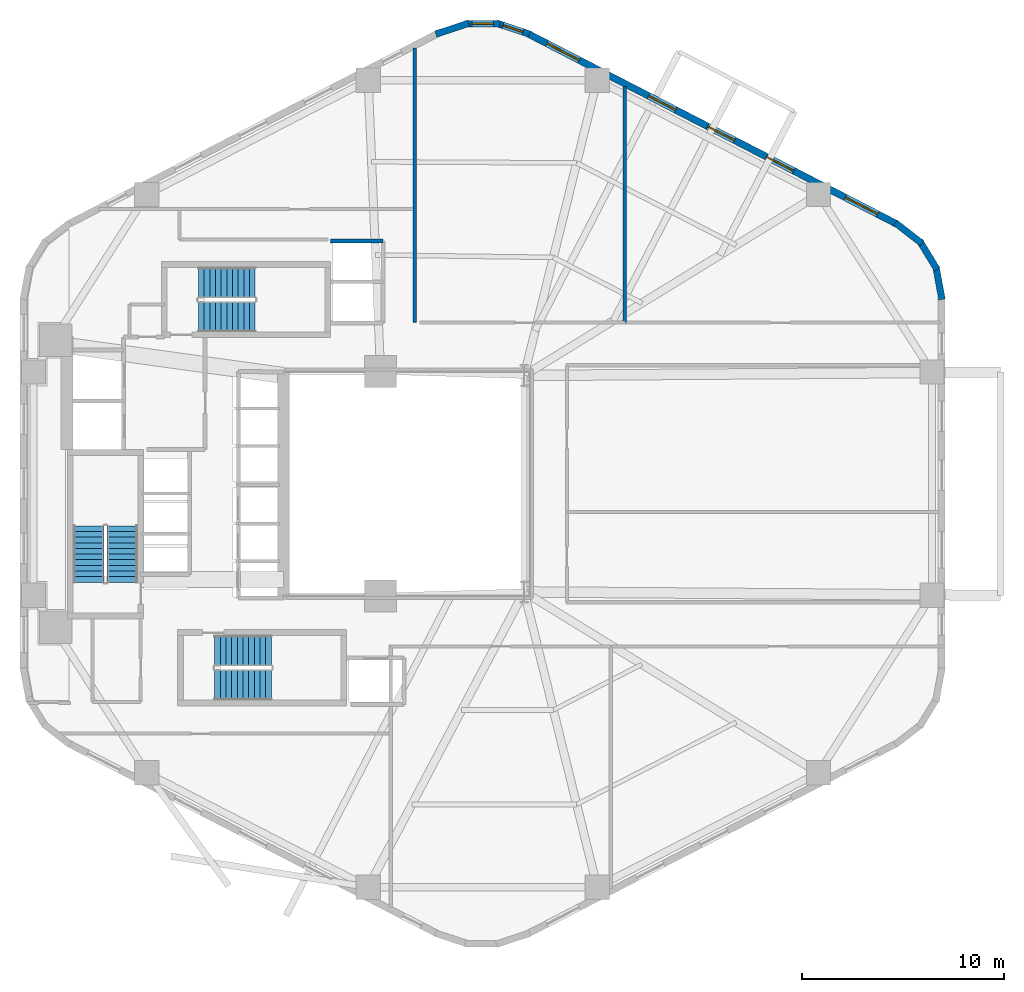
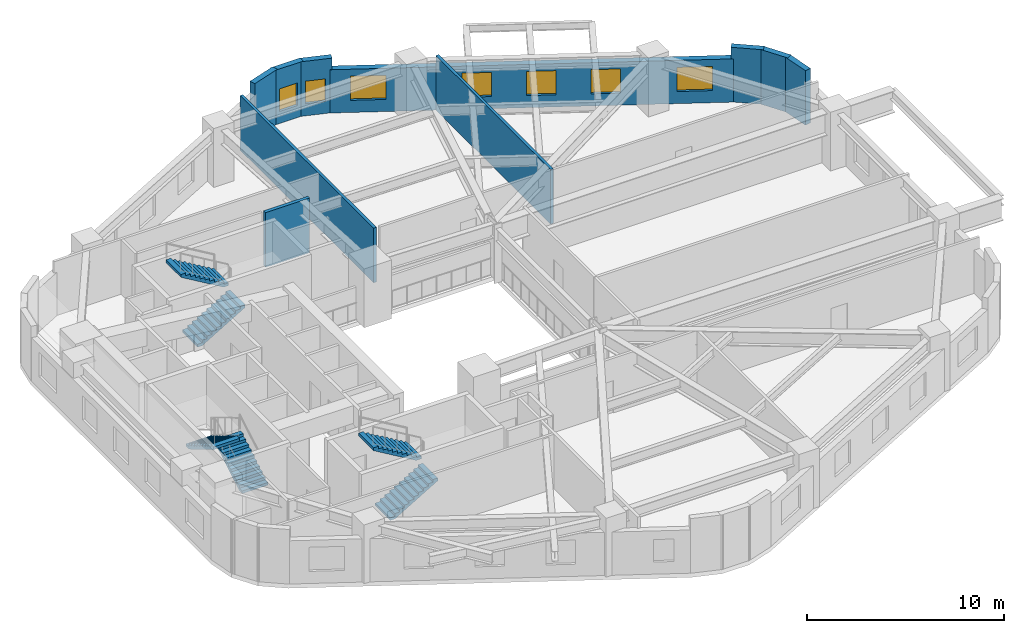
# One storey, part 5 of 6: 10 walls, 7 windows, 6 stair flights, 7 openings, 3 elements without a shape of their own.
"""IFC4 building model written with IfcOpenShell, lengths in metres."""

from ifc_helpers import new_model, si_unit, direction, frame, frame_2d, origin, place, context, subcontext, project, spatial, polyline, rectangle, outline, extrude, material, layer, layer_set, type_object, element, fill, aggregate, save


model = new_model("IFC4")

# Units and contexts
model_context = context("Model", 3, precision=1e-05, world=origin(), true_north=direction((0.0, 1.0)))
body_context = subcontext(model_context, "Body", "Model", "MODEL_VIEW")
ifc_project = project(units=[si_unit("LENGTHUNIT", "METRE"), si_unit("AREAUNIT", "SQUARE_METRE"), si_unit("VOLUMEUNIT", "CUBIC_METRE"), si_unit("PLANEANGLEUNIT", "RADIAN"), si_unit("MASSUNIT", "GRAM", prefix="KILO"), si_unit("THERMODYNAMICTEMPERATUREUNIT", "KELVIN"), si_unit("POWERUNIT", "WATT")], contexts=[model_context])

# Site, building, storey
site_placement = place(None, origin())
site = spatial("IfcSite", under=ifc_project, at=site_placement, CompositionType="ELEMENT")
building_placement = place(site_placement, origin())
building = spatial("IfcBuilding", under=site, at=building_placement, Name="Skarre Station Tower", CompositionType="ELEMENT")
storey_placement = place(building_placement, frame((0.0, 0.0, 34.300048828125)))
storey = spatial("IfcBuildingStorey", under=building, at=storey_placement, Name="L08", CompositionType="ELEMENT", Elevation=34.300048828125)

# Wall, openings, windows
ifc_material_1 = material(Name="Precast concrete C45/55", Category="concrete")
ifc_layer_1 = layer(ifc_material_1, 0.340087890625, Name="Precast concrete C45/55")
ifc_layer_set_1 = layer_set([ifc_layer_1], Name="Precast concrete C45/55")
wall_type_1 = type_object("IfcWallType", Name="Nordic Honed Precast Facet Wall 340", PredefinedType="STANDARD", material=ifc_layer_set_1)
wall_1_placement = place(storey_placement, frame((39.631103515625, 46.257080078125, 0.0), z_axis=(0.0, 0.0, 1.0), x_axis=(0.888634413993, -0.458616264721, 0.0)))
wall_1 = element("IfcWall", 1, at=wall_1_placement, inside=storey, type_object=wall_type_1, Name="L08 Facet 0 Nordic Precast Masonry Wall", PredefinedType="STANDARD", context=body_context, shape_type="SweptSolid", body=[
    extrude(rectangle(XDim=20.53125, YDim=0.340087890625, at=frame_2d((10.265625, 0.0))), origin(), (0.0, 0.0, 1.0), 2.683837890625),
])
opening_1_placement = place(wall_1_placement, frame((1.05810546875, 0.0, 0.75)))
opening_1 = element("IfcOpeningElement", 2, at=opening_1_placement, cuts=wall_1, Name="Opening WN-Z1A", PredefinedType="OPENING", context=body_context, shape_type="SweptSolid", body=[
    extrude(rectangle(XDim=1.800048828125, YDim=1.5, at=frame_2d((0.89990234375, 0.75))), frame((0.0, 0.179931640625, 0.0), z_axis=(0.0, -1.0, 0.0), x_axis=(1.0, 0.0, 0.0)), (0.0, 0.0, 1.0), 0.360107421875),
])
opening_2_placement = place(wall_1_placement, frame((6.720947265625, 0.0, 0.75)))
opening_2 = element("IfcOpeningElement", 3, at=opening_2_placement, cuts=wall_1, Name="Opening WN-Z1B", PredefinedType="OPENING", context=body_context, shape_type="SweptSolid", body=[
    extrude(rectangle(XDim=1.5, YDim=1.5, at=frame_2d((0.75, 0.75))), frame((0.0, 0.179931640625, 0.0), z_axis=(0.0, -1.0, 0.0), x_axis=(1.0, 0.0, 0.0)), (0.0, 0.0, 1.0), 0.360107421875),
])
opening_3_placement = place(wall_1_placement, frame((10.007080078125, 0.0, 0.75)))
opening_3 = element("IfcOpeningElement", 4, at=opening_3_placement, cuts=wall_1, Name="Opening WN-Z1B", PredefinedType="OPENING", context=body_context, shape_type="SweptSolid", body=[
    extrude(rectangle(XDim=1.5, YDim=1.5, at=frame_2d((0.75, 0.75))), frame((0.0, 0.179931640625, 0.0), z_axis=(0.0, -1.0, 0.0), x_axis=(1.0, 0.0, 0.0)), (0.0, 0.0, 1.0), 0.360107421875),
])
opening_4_placement = place(wall_1_placement, frame((13.2919921875, 0.0, 0.75)))
opening_4 = element("IfcOpeningElement", 5, at=opening_4_placement, cuts=wall_1, Name="Opening WN-Z1B", PredefinedType="OPENING", context=body_context, shape_type="SweptSolid", body=[
    extrude(rectangle(XDim=1.5, YDim=1.5, at=frame_2d((0.75, 0.75))), frame((0.0, 0.179931640625, 0.0), z_axis=(0.0, -1.0, 0.0), x_axis=(1.0, 0.0, 0.0)), (0.0, 0.0, 1.0), 0.360107421875),
])
opening_5_placement = place(wall_1_placement, frame((17.673095703125, 0.0, 0.75)))
opening_5 = element("IfcOpeningElement", 6, at=opening_5_placement, cuts=wall_1, Name="Opening WN-Z1A", PredefinedType="OPENING", context=body_context, shape_type="SweptSolid", body=[
    extrude(rectangle(XDim=1.800048828125, YDim=1.5, at=frame_2d((0.89990234375, 0.75))), frame((0.0, 0.179931640625, 0.0), z_axis=(0.0, -1.0, 0.0), x_axis=(1.0, 0.0, 0.0)), (0.0, 0.0, 1.0), 0.360107421875),
])
ifc_material_2 = material(Name="Low-Iron Triple Glazing with Bronze Anodized Frame", Category="glass")
window_type_1 = type_object("IfcWindowType", Name="Nordic Punched Triple-Glazed Window 1500x1500", PartitioningType="SINGLE_PANEL", PredefinedType="WINDOW", material=ifc_material_2)
window_1_placement = place(opening_2_placement, origin())
window_1 = element("IfcWindow", 7, at=window_1_placement, inside=storey, type_object=window_type_1, Name="L08 Facade Window WL-FAC-L08-F0-2", OverallHeight=1.5, OverallWidth=1.5, PartitioningType="SINGLE_PANEL", PredefinedType="WINDOW", context=body_context, shape_type="SweptSolid", body=[
    extrude(rectangle(XDim=1.5, YDim=1.5, at=frame_2d((0.75, 0.75))), frame((0.0, 0.030029296875, 0.0), z_axis=(0.0, -1.0, 0.0), x_axis=(1.0, 0.0, 0.0)), (0.0, 0.0, 1.0), 0.06005859375),
])
fill(opening_2, window_1)
window_2_placement = place(opening_3_placement, origin())
window_2 = element("IfcWindow", 8, at=window_2_placement, inside=storey, type_object=window_type_1, Name="L08 Facade Window WL-FAC-L08-F0-3", OverallHeight=1.5, OverallWidth=1.5, PartitioningType="SINGLE_PANEL", PredefinedType="WINDOW", context=body_context, shape_type="SweptSolid", body=[
    extrude(rectangle(XDim=1.5, YDim=1.5, at=frame_2d((0.75, 0.75))), frame((0.0, 0.030029296875, 0.0), z_axis=(0.0, -1.0, 0.0), x_axis=(1.0, 0.0, 0.0)), (0.0, 0.0, 1.0), 0.06005859375),
])
fill(opening_3, window_2)
window_3_placement = place(opening_4_placement, origin())
window_3 = element("IfcWindow", 9, at=window_3_placement, inside=storey, type_object=window_type_1, Name="L08 Facade Window WL-FAC-L08-F0-4", OverallHeight=1.5, OverallWidth=1.5, PartitioningType="SINGLE_PANEL", PredefinedType="WINDOW", context=body_context, shape_type="SweptSolid", body=[
    extrude(rectangle(XDim=1.5, YDim=1.5, at=frame_2d((0.75, 0.75))), frame((0.0, 0.030029296875, 0.0), z_axis=(0.0, -1.0, 0.0), x_axis=(1.0, 0.0, 0.0)), (0.0, 0.0, 1.0), 0.06005859375),
])
fill(opening_4, window_3)
window_type_2 = type_object("IfcWindowType", Name="Nordic Punched Triple-Glazed Window 1800x1500", PartitioningType="SINGLE_PANEL", PredefinedType="WINDOW", material=ifc_material_2)
window_4_placement = place(opening_1_placement, origin())
window_4 = element("IfcWindow", 10, at=window_4_placement, inside=storey, type_object=window_type_2, Name="L08 Facade Window WL-FAC-L08-F0-1", OverallHeight=1.5, OverallWidth=1.800048828125, PartitioningType="SINGLE_PANEL", PredefinedType="WINDOW", context=body_context, shape_type="SweptSolid", body=[
    extrude(rectangle(XDim=1.800048828125, YDim=1.5, at=frame_2d((0.89990234375, 0.75))), frame((0.0, 0.030029296875, 0.0), z_axis=(0.0, -1.0, 0.0), x_axis=(1.0, 0.0, 0.0)), (0.0, 0.0, 1.0), 0.06005859375),
])
fill(opening_1, window_4)
window_5_placement = place(opening_5_placement, origin())
window_5 = element("IfcWindow", 11, at=window_5_placement, inside=storey, type_object=window_type_2, Name="L08 Facade Window WL-FAC-L08-F0-5", OverallHeight=1.5, OverallWidth=1.800048828125, PartitioningType="SINGLE_PANEL", PredefinedType="WINDOW", context=body_context, shape_type="SweptSolid", body=[
    extrude(rectangle(XDim=1.800048828125, YDim=1.5, at=frame_2d((0.89990234375, 0.75))), frame((0.0, 0.030029296875, 0.0), z_axis=(0.0, -1.0, 0.0), x_axis=(1.0, 0.0, 0.0)), (0.0, 0.0, 1.0), 0.06005859375),
])
fill(opening_5, window_5)

# Walls
ifc_layer_2 = layer(ifc_material_1, 0.330078125, Name="Precast concrete C45/55")
ifc_layer_set_2 = layer_set([ifc_layer_2], Name="Precast concrete C45/55")
wall_type_2 = type_object("IfcWallType", Name="Nordic Rounded Corner Precast Wall 330", PredefinedType="STANDARD", material=ifc_layer_set_2)
wall_2_placement = place(storey_placement, frame((57.802001953125, 36.90087890625, 0.0), z_axis=(0.0, 0.0, 1.0), x_axis=(0.790691856293, -0.61221433207, 0.0)))
element("IfcWall", 12, at=wall_2_placement, inside=storey, type_object=wall_type_2, Name="L08 Rounded Corner Precast Wall F0-1", PredefinedType="STANDARD", context=body_context, shape_type="SweptSolid", body=[
    extrude(rectangle(XDim=1.67578125, YDim=0.330078125, at=frame_2d((0.837890625, 0.0))), origin(), (0.0, 0.0, 1.0), 3.389892578125),
])
wall_3_placement = place(storey_placement, frame((59.001953125, 36.014892578125, 0.0), z_axis=(0.0, 0.0, 1.0), x_axis=(0.520584129191, -0.853810379671, 0.0)))
element("IfcWall", 13, at=wall_3_placement, inside=storey, type_object=wall_type_2, Name="L08 Rounded Corner Precast Wall F0-2", PredefinedType="STANDARD", context=body_context, shape_type="SweptSolid", body=[
    extrude(rectangle(XDim=1.677001953125, YDim=0.330078125, at=frame_2d((0.83837890625, 0.0))), origin(), (0.0, 0.0, 1.0), 3.389892578125),
])
wall_4_placement = place(storey_placement, frame((59.80810546875, 34.758056640625, 0.0), z_axis=(0.0, 0.0, 1.0), x_axis=(0.181714143354, -0.983351397063, 0.0)))
element("IfcWall", 14, at=wall_4_placement, inside=storey, type_object=wall_type_2, Name="L08 Rounded Corner Precast Wall F0-3", PredefinedType="STANDARD", context=body_context, shape_type="SweptSolid", body=[
    extrude(rectangle(XDim=1.677978515625, YDim=0.330078125, at=frame_2d((0.8388671875, 0.0))), origin(), (0.0, 0.0, 1.0), 3.389892578125),
])
wall_5_placement = place(storey_placement, frame((35.0810546875, 46.23095703125, 0.0), z_axis=(0.0, 0.0, 1.0), x_axis=(0.94976901097, 0.312951794691, 0.0)))
element("IfcWall", 15, at=wall_5_placement, inside=storey, type_object=wall_type_2, Name="L08 Rounded Corner Precast Wall F1-1", PredefinedType="STANDARD", context=body_context, shape_type="SweptSolid", body=[
    extrude(rectangle(XDim=1.722412109375, YDim=0.330078125, at=frame_2d((0.861328125, 0.0))), origin(), (0.0, 0.0, 1.0), 3.389892578125),
])

# Wall, opening, window
wall_6_placement = place(storey_placement, frame((36.5390625, 46.740966796875, 0.0), z_axis=(0.0, 0.0, 1.0), x_axis=(1.0, 0.0, 0.0)))
wall_6 = element("IfcWall", 16, at=wall_6_placement, inside=storey, type_object=wall_type_2, Name="L08 Rounded Corner Precast Wall F1-2", PredefinedType="STANDARD", context=body_context, shape_type="SweptSolid", body=[
    extrude(rectangle(XDim=1.721923828125, YDim=0.330078125, at=frame_2d((0.86083984375, 0.0))), origin(), (0.0, 0.0, 1.0), 3.389892578125),
])
opening_6_placement = place(wall_6_placement, frame((0.3359375, 0.0, 0.75)))
opening_6 = element("IfcOpeningElement", 17, at=opening_6_placement, cuts=wall_6, Name="Opening WN-SLT", PredefinedType="OPENING", context=body_context, shape_type="SweptSolid", body=[
    extrude(rectangle(XDim=1.050048828125, YDim=1.39990234375, at=frame_2d((0.52490234375, 0.699951171875))), frame((0.0, 0.175048828125, 0.0), z_axis=(0.0, -1.0, 0.0), x_axis=(1.0, 0.0, 0.0)), (0.0, 0.0, 1.0), 0.35009765625),
])
window_type_3 = type_object("IfcWindowType", Name="Nordic Corner Slot Window 1050x1400", PartitioningType="SINGLE_PANEL", PredefinedType="WINDOW", material=ifc_material_2)
window_6_placement = place(opening_6_placement, origin())
window_6 = element("IfcWindow", 18, at=window_6_placement, inside=storey, type_object=window_type_3, Name="L08 Apex Corner Slot Window F1-2", OverallHeight=1.39990234375, OverallWidth=1.050048828125, PartitioningType="SINGLE_PANEL", PredefinedType="WINDOW", context=body_context, shape_type="SweptSolid", body=[
    extrude(rectangle(XDim=1.050048828125, YDim=1.39990234375, at=frame_2d((0.52490234375, 0.699951171875))), frame((0.0, 0.030029296875, 0.0), z_axis=(0.0, -1.0, 0.0), x_axis=(1.0, 0.0, 0.0)), (0.0, 0.0, 1.0), 0.06005859375),
])
fill(opening_6, window_6)

wall_7_placement = place(storey_placement, frame((38.0830078125, 46.77001953125, 0.0), z_axis=(0.0, 0.0, 1.0), x_axis=(0.94976901097, -0.312951794691, 0.0)))
wall_7 = element("IfcWall", 19, at=wall_7_placement, inside=storey, type_object=wall_type_2, Name="L08 Rounded Corner Precast Wall F1-3", PredefinedType="STANDARD", context=body_context, shape_type="SweptSolid", body=[
    extrude(rectangle(XDim=1.722412109375, YDim=0.330078125, at=frame_2d((0.861328125, 0.0))), origin(), (0.0, 0.0, 1.0), 3.389892578125),
])
opening_7_placement = place(wall_7_placement, frame((0.3359375, 0.0, 0.75)))
opening_7 = element("IfcOpeningElement", 20, at=opening_7_placement, cuts=wall_7, Name="Opening WN-SLT", PredefinedType="OPENING", context=body_context, shape_type="SweptSolid", body=[
    extrude(rectangle(XDim=1.050048828125, YDim=1.39990234375, at=frame_2d((0.52490234375, 0.699951171875))), frame((0.0, 0.175048828125, 0.0), z_axis=(0.0, -1.0, 0.0), x_axis=(1.0, 0.0, 0.0)), (0.0, 0.0, 1.0), 0.35009765625),
])
window_7_placement = place(opening_7_placement, origin())
window_7 = element("IfcWindow", 21, at=window_7_placement, inside=storey, type_object=window_type_3, Name="L08 Apex Corner Slot Window F1-3", OverallHeight=1.39990234375, OverallWidth=1.050048828125, PartitioningType="SINGLE_PANEL", PredefinedType="WINDOW", context=body_context, shape_type="SweptSolid", body=[
    extrude(rectangle(XDim=1.050048828125, YDim=1.39990234375, at=frame_2d((0.52490234375, 0.699951171875))), frame((0.0, 0.030029296875, 0.0), z_axis=(0.0, -1.0, 0.0), x_axis=(1.0, 0.0, 0.0)), (0.0, 0.0, 1.0), 0.06005859375),
])
fill(opening_7, window_7)

# Walls
ifc_material_3 = material(Name="Gypsum Concrete Shaft Assembly C30/37", Category="concrete")
ifc_layer_3 = layer(ifc_material_3, 0.199951171875, Name="Gypsum Concrete Shaft Assembly C30/37")
ifc_layer_set_3 = layer_set([ifc_layer_3], Name="Gypsum Concrete Shaft Assembly C30/37")
wall_type_3 = type_object("IfcWallType", Name="Shaft & Core Fire Partition 200", PredefinedType="PARTITIONING", material=ifc_layer_set_3)
wall_8_placement = place(storey_placement, frame((29.8798828125, 36.0, 0.0), z_axis=(0.0, 0.0, 1.0), x_axis=(1.0, 0.0, 0.0)))
element("IfcWall", 22, at=wall_8_placement, inside=storey, type_object=wall_type_3, Name="L08 Interior Partition WL-PT-L08-EX-N", PredefinedType="PARTITIONING", context=body_context, shape_type="SweptSolid", body=[
    extrude(rectangle(XDim=2.60009765625, YDim=0.199951171875, at=frame_2d((1.300048828125, 0.0))), origin(), (0.0, 0.0, 1.0), 3.389892578125),
])
ifc_material_4 = material(Name="Acoustic Steel-Stud Gypsum Partition", Category="steel")
ifc_layer_4 = layer(ifc_material_4, 0.1650390625, Name="Acoustic Steel-Stud Gypsum Partition")
ifc_layer_set_4 = layer_set([ifc_layer_4], Name="Acoustic Steel-Stud Gypsum Partition")
wall_type_4 = type_object("IfcWallType", Name="Suite Demising Acoustic Partition 165", PredefinedType="PARTITIONING", material=ifc_layer_set_4)
wall_9_placement = place(storey_placement, frame((34.0400390625, 31.9599609375, 0.0), z_axis=(0.0, 0.0, 1.0), x_axis=(0.0, 1.0, 0.0)))
element("IfcWall", 23, at=wall_9_placement, inside=storey, type_object=wall_type_4, Name="L08 Interior Partition WL-PT-L08-NW-WBND", PredefinedType="PARTITIONING", context=body_context, shape_type="SweptSolid", body=[
    extrude(rectangle(XDim=13.5791015625, YDim=0.1650390625, at=frame_2d((6.78955078125, 0.0))), origin(), (0.0, 0.0, 1.0), 3.389892578125),
])
wall_10_placement = place(storey_placement, frame((44.43310546875, 31.969970703125, 0.0), z_axis=(0.0, 0.0, 1.0), x_axis=(0.0, 1.0, 0.0)))
element("IfcWall", 24, at=wall_10_placement, inside=storey, type_object=wall_type_4, Name="L08 Interior Partition WL-PT-L08-NW-P1", PredefinedType="PARTITIONING", context=body_context, shape_type="SweptSolid", body=[
    extrude(rectangle(XDim=11.674072265625, YDim=0.1650390625, at=frame_2d((5.8369140625, 0.0))), origin(), (0.0, 0.0, 1.0), 3.389892578125),
])

# Stair, stair flights
ifc_material_5 = material(Name="Concrete C40/50", Category="concrete")
stair_type_1 = type_object("IfcStairType", Name="Reinforced Concrete Exit Stair ST-1", PredefinedType="HALF_TURN_STAIR", material=ifc_material_5)
stair_1_placement = place(storey_placement, origin())
stair_1 = element("IfcStair", 25, at=stair_1_placement, inside=storey, type_object=stair_type_1, Name="L08 Core Exit Stair ST-1", PredefinedType="HALF_TURN_STAIR")
stair_flight_type_1 = type_object("IfcStairFlightType", Name="Reinforced Concrete Stair Flight ST-1", PredefinedType="STRAIGHT", material=ifc_material_5)
stair_flight_1_placement = place(storey_placement, frame((19.590087890625, 19.1201171875, 0.0), z_axis=(0.0, 0.0, 1.0), x_axis=(0.0, 1.0, 0.0)))
stair_flight_1 = element("IfcStairFlight", 26, at=stair_flight_1_placement, type_object=stair_flight_type_1, Name="ST-1 flight 1", NumberOfRisers=11, NumberOfTreads=10, PredefinedType="STRAIGHT", RiserHeight=0.165909091, TreadLength=0.28, context=body_context, shape_type="SweptSolid", body=[
    extrude(outline(polyline([(0.0, 0.0), (0.0, 0.166015625), (0.280029296875, 0.166015625), (0.280029296875, 0.331787109375), (0.56005859375, 0.331787109375), (0.56005859375, 0.497802734375), (0.840087890625, 0.497802734375), (0.840087890625, 0.66357421875), (1.1201171875, 0.66357421875), (1.1201171875, 0.82958984375), (1.39990234375, 0.82958984375), (1.39990234375, 0.995361328125), (1.679931640625, 0.995361328125), (1.679931640625, 1.161376953125), (1.9599609375, 1.161376953125), (1.9599609375, 1.327392578125), (2.239990234375, 1.327392578125), (2.239990234375, 1.4931640625), (2.52001953125, 1.4931640625), (2.52001953125, 1.6591796875), (2.800048828125, 1.6591796875), (2.800048828125, 1.824951171875), (2.800048828125, 1.48486328125), (0.2939453125, 0.0), (0.0, 0.0)])), frame((0.0, 0.760009765625, 0.0), z_axis=(0.0, -1.0, 0.0), x_axis=(1.0, 0.0, 0.0)), (0.0, 0.0, 1.0), 1.52001953125),
])
stair_flight_2_placement = place(storey_placement, frame((17.909912109375, 21.919921875, 1.824951171875), z_axis=(0.0, 0.0, 1.0), x_axis=(0.0, -1.0, 0.0)))
stair_flight_2 = element("IfcStairFlight", 27, at=stair_flight_2_placement, type_object=stair_flight_type_1, Name="ST-1 flight 2", NumberOfRisers=11, NumberOfTreads=10, PredefinedType="STRAIGHT", RiserHeight=0.165909091, TreadLength=0.28, context=body_context, shape_type="SweptSolid", body=[
    extrude(outline(polyline([(0.0, 0.0), (0.0, 0.166015625), (0.280029296875, 0.166015625), (0.280029296875, 0.331787109375), (0.56005859375, 0.331787109375), (0.56005859375, 0.497802734375), (0.840087890625, 0.497802734375), (0.840087890625, 0.66357421875), (1.1201171875, 0.66357421875), (1.1201171875, 0.82958984375), (1.39990234375, 0.82958984375), (1.39990234375, 0.995361328125), (1.679931640625, 0.995361328125), (1.679931640625, 1.161376953125), (1.9599609375, 1.161376953125), (1.9599609375, 1.327392578125), (2.239990234375, 1.327392578125), (2.239990234375, 1.4931640625), (2.52001953125, 1.4931640625), (2.52001953125, 1.6591796875), (2.800048828125, 1.6591796875), (2.800048828125, 1.824951171875), (2.800048828125, 1.48486328125), (0.2939453125, 0.0), (0.0, 0.0)])), frame((0.0, 0.760009765625, 0.0), z_axis=(0.0, -1.0, 0.0), x_axis=(1.0, 0.0, 0.0)), (0.0, 0.0, 1.0), 1.52001953125),
])
aggregate(stair_1, [stair_flight_1, stair_flight_2])

stair_type_2 = type_object("IfcStairType", Name="Reinforced Concrete Exit Stair ST-2", PredefinedType="HALF_TURN_STAIR", material=ifc_material_5)
stair_2_placement = place(storey_placement, origin())
stair_2 = element("IfcStair", 28, at=stair_2_placement, inside=storey, type_object=stair_type_2, Name="L08 Core Exit Stair ST-2", PredefinedType="HALF_TURN_STAIR")
stair_flight_type_2 = type_object("IfcStairFlightType", Name="Reinforced Concrete Stair Flight ST-2", PredefinedType="STRAIGHT", material=ifc_material_5)
stair_flight_3_placement = place(storey_placement, frame((24.14990234375, 14.06005859375, 0.0), z_axis=(0.0, 0.0, 1.0), x_axis=(1.0, 0.0, 0.0)))
stair_flight_3 = element("IfcStairFlight", 29, at=stair_flight_3_placement, type_object=stair_flight_type_2, Name="ST-2 flight 1", NumberOfRisers=11, NumberOfTreads=10, PredefinedType="STRAIGHT", RiserHeight=0.165909091, TreadLength=0.28, context=body_context, shape_type="SweptSolid", body=[
    extrude(outline(polyline([(0.0, 0.0), (0.0, 0.166015625), (0.280029296875, 0.166015625), (0.280029296875, 0.331787109375), (0.56005859375, 0.331787109375), (0.56005859375, 0.497802734375), (0.840087890625, 0.497802734375), (0.840087890625, 0.66357421875), (1.1201171875, 0.66357421875), (1.1201171875, 0.82958984375), (1.39990234375, 0.82958984375), (1.39990234375, 0.995361328125), (1.679931640625, 0.995361328125), (1.679931640625, 1.161376953125), (1.9599609375, 1.161376953125), (1.9599609375, 1.327392578125), (2.239990234375, 1.327392578125), (2.239990234375, 1.4931640625), (2.52001953125, 1.4931640625), (2.52001953125, 1.6591796875), (2.800048828125, 1.6591796875), (2.800048828125, 1.824951171875), (2.800048828125, 1.48486328125), (0.2939453125, 0.0), (0.0, 0.0)])), frame((0.0, 0.760009765625, 0.0), z_axis=(0.0, -1.0, 0.0), x_axis=(1.0, 0.0, 0.0)), (0.0, 0.0, 1.0), 1.52001953125),
])
stair_flight_4_placement = place(storey_placement, frame((26.949951171875, 15.739990234375, 1.824951171875), z_axis=(0.0, 0.0, 1.0), x_axis=(-1.0, 0.0, 0.0)))
stair_flight_4 = element("IfcStairFlight", 30, at=stair_flight_4_placement, type_object=stair_flight_type_2, Name="ST-2 flight 2", NumberOfRisers=11, NumberOfTreads=10, PredefinedType="STRAIGHT", RiserHeight=0.165909091, TreadLength=0.28, context=body_context, shape_type="SweptSolid", body=[
    extrude(outline(polyline([(0.0, 0.0), (0.0, 0.166015625), (0.280029296875, 0.166015625), (0.280029296875, 0.331787109375), (0.56005859375, 0.331787109375), (0.56005859375, 0.497802734375), (0.840087890625, 0.497802734375), (0.840087890625, 0.66357421875), (1.1201171875, 0.66357421875), (1.1201171875, 0.82958984375), (1.39990234375, 0.82958984375), (1.39990234375, 0.995361328125), (1.679931640625, 0.995361328125), (1.679931640625, 1.161376953125), (1.9599609375, 1.161376953125), (1.9599609375, 1.327392578125), (2.239990234375, 1.327392578125), (2.239990234375, 1.4931640625), (2.52001953125, 1.4931640625), (2.52001953125, 1.6591796875), (2.800048828125, 1.6591796875), (2.800048828125, 1.824951171875), (2.800048828125, 1.48486328125), (0.2939453125, 0.0), (0.0, 0.0)])), frame((0.0, 0.760009765625, 0.0), z_axis=(0.0, -1.0, 0.0), x_axis=(1.0, 0.0, 0.0)), (0.0, 0.0, 1.0), 1.52001953125),
])
aggregate(stair_2, [stair_flight_3, stair_flight_4])

stair_type_3 = type_object("IfcStairType", Name="Reinforced Concrete Exit Stair ST-3", PredefinedType="HALF_TURN_STAIR", material=ifc_material_5)
stair_3_placement = place(storey_placement, origin())
stair_3 = element("IfcStair", 31, at=stair_3_placement, inside=storey, type_object=stair_type_3, Name="L08 Core Exit Stair ST-3", PredefinedType="HALF_TURN_STAIR")
stair_flight_type_3 = type_object("IfcStairFlightType", Name="Reinforced Concrete Stair Flight ST-3", PredefinedType="STRAIGHT", material=ifc_material_5)
stair_flight_5_placement = place(storey_placement, frame((23.35009765625, 32.260009765625, 0.0), z_axis=(0.0, 0.0, 1.0), x_axis=(1.0, 0.0, 0.0)))
stair_flight_5 = element("IfcStairFlight", 32, at=stair_flight_5_placement, type_object=stair_flight_type_3, Name="ST-3 flight 1", NumberOfRisers=11, NumberOfTreads=10, PredefinedType="STRAIGHT", RiserHeight=0.165909091, TreadLength=0.28, context=body_context, shape_type="SweptSolid", body=[
    extrude(outline(polyline([(0.0, 0.0), (0.0, 0.166015625), (0.280029296875, 0.166015625), (0.280029296875, 0.331787109375), (0.56005859375, 0.331787109375), (0.56005859375, 0.497802734375), (0.840087890625, 0.497802734375), (0.840087890625, 0.66357421875), (1.1201171875, 0.66357421875), (1.1201171875, 0.82958984375), (1.39990234375, 0.82958984375), (1.39990234375, 0.995361328125), (1.679931640625, 0.995361328125), (1.679931640625, 1.161376953125), (1.9599609375, 1.161376953125), (1.9599609375, 1.327392578125), (2.239990234375, 1.327392578125), (2.239990234375, 1.4931640625), (2.52001953125, 1.4931640625), (2.52001953125, 1.6591796875), (2.800048828125, 1.6591796875), (2.800048828125, 1.824951171875), (2.800048828125, 1.48486328125), (0.2939453125, 0.0), (0.0, 0.0)])), frame((0.0, 0.760009765625, 0.0), z_axis=(0.0, -1.0, 0.0), x_axis=(1.0, 0.0, 0.0)), (0.0, 0.0, 1.0), 1.52001953125),
])
stair_flight_6_placement = place(storey_placement, frame((26.14990234375, 33.93994140625, 1.824951171875), z_axis=(0.0, 0.0, 1.0), x_axis=(-1.0, 0.0, 0.0)))
stair_flight_6 = element("IfcStairFlight", 33, at=stair_flight_6_placement, type_object=stair_flight_type_3, Name="ST-3 flight 2", NumberOfRisers=11, NumberOfTreads=10, PredefinedType="STRAIGHT", RiserHeight=0.165909091, TreadLength=0.28, context=body_context, shape_type="SweptSolid", body=[
    extrude(outline(polyline([(0.0, 0.0), (0.0, 0.166015625), (0.280029296875, 0.166015625), (0.280029296875, 0.331787109375), (0.56005859375, 0.331787109375), (0.56005859375, 0.497802734375), (0.840087890625, 0.497802734375), (0.840087890625, 0.66357421875), (1.1201171875, 0.66357421875), (1.1201171875, 0.82958984375), (1.39990234375, 0.82958984375), (1.39990234375, 0.995361328125), (1.679931640625, 0.995361328125), (1.679931640625, 1.161376953125), (1.9599609375, 1.161376953125), (1.9599609375, 1.327392578125), (2.239990234375, 1.327392578125), (2.239990234375, 1.4931640625), (2.52001953125, 1.4931640625), (2.52001953125, 1.6591796875), (2.800048828125, 1.6591796875), (2.800048828125, 1.824951171875), (2.800048828125, 1.48486328125), (0.2939453125, 0.0), (0.0, 0.0)])), frame((0.0, 0.760009765625, 0.0), z_axis=(0.0, -1.0, 0.0), x_axis=(1.0, 0.0, 0.0)), (0.0, 0.0, 1.0), 1.52001953125),
])
aggregate(stair_3, [stair_flight_5, stair_flight_6])

save(model, "model.ifc")
